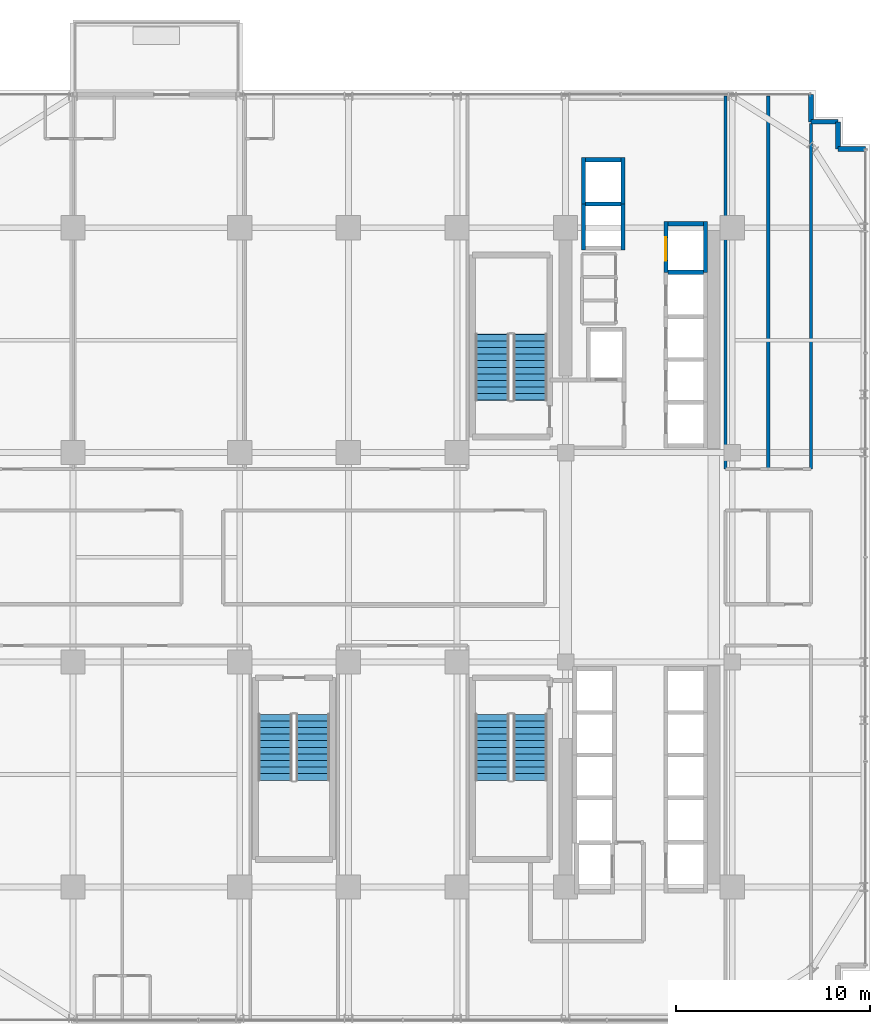
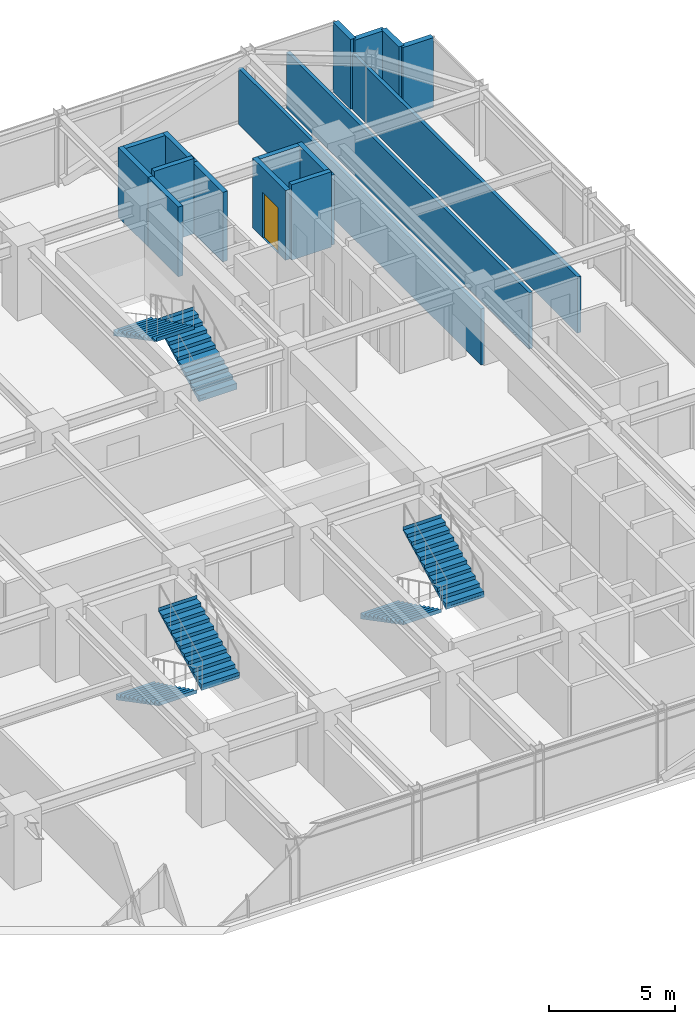
# One storey, part 31 of 35: 17 walls, 6 stair flights, 1 door, 1 opening, 3 elements without a shape of their own.
"""IFC4 building model written with IfcOpenShell, lengths in metres."""

from ifc_helpers import new_model, si_unit, direction, frame, frame_2d, origin, place, context, subcontext, project, spatial, polyline, rectangle, outline, extrude, source, transform, mapped, material, layer, layer_set, type_object, element, fill, aggregate, save


model = new_model("IFC4")

# Units and contexts
model_context = context("Model", 3, precision=1e-05, world=origin(), true_north=direction((0.0, 1.0)))
body_context = subcontext(model_context, "Body", "Model", "MODEL_VIEW")
ifc_project = project(units=[si_unit("LENGTHUNIT", "METRE"), si_unit("AREAUNIT", "SQUARE_METRE"), si_unit("VOLUMEUNIT", "CUBIC_METRE"), si_unit("PLANEANGLEUNIT", "RADIAN"), si_unit("MASSUNIT", "GRAM", prefix="KILO")], contexts=[model_context])

# Site, building, storey
site_placement = place(None, origin())
site = spatial("IfcSite", under=ifc_project, at=site_placement, CompositionType="ELEMENT")
building_placement = place(site_placement, origin())
building = spatial("IfcBuilding", under=site, at=building_placement, Name="Nahalor Promenade Grand Hotel", CompositionType="ELEMENT")
storey_placement = place(building_placement, frame((0.0, 0.0, 121.14990234375)))
storey = spatial("IfcBuildingStorey", under=building, at=storey_placement, Name="L30", CompositionType="ELEMENT", Elevation=121.14990234375)

# Walls
ifc_material_1 = material(Name="Concrete B-50 (C40/50)", Category="concrete")
ifc_layer_1 = layer(ifc_material_1, 0.219970703125)
ifc_layer_set_1 = layer_set([ifc_layer_1], Name="Concrete B-50 (C40/50)")
wall_type_1 = type_object("IfcWallType", Name="Wall-LiftShaft-220", PredefinedType="SHEAR", material=ifc_layer_set_1)
shared_shape_1 = source(origin(), body_context, "Body", "SweptSolid", [
    extrude(rectangle(XDim=1.820068359375, YDim=0.219970703125, at=frame_2d((0.91015625, 0.0))), origin(), (0.0, 0.0, 1.0), 3.650146484375),
])
for number, where, z_axis, x_axis, name in (
    (1, (13.68994140625, 14.699951171875, 0.0), (0.0, 0.0, 1.0), (1.0, 0.0, 0.0), "L30 Lift PL4 Hoistway Wall N"),
    (2, (9.43994140625, 18.22509765625, 0.0), (0.0, 0.0, 1.0), (1.0, 0.0, 0.0), "L30 Lift OB1 Hoistway Wall N"),
):
    element("IfcWall", number, at=place(storey_placement, frame(where, z_axis=z_axis, x_axis=x_axis)), inside=storey, type_object=wall_type_1, Name=name, PredefinedType="SHEAR", context=body_context, shape_type="MappedRepresentation", body=[
        mapped(shared_shape_1, transform((0.0, 0.0, 0.0), scale=1.0)),
    ])
shared_shape_2 = source(origin(), body_context, "Body", "SweptSolid", [
    extrude(rectangle(XDim=1.820068359375, YDim=0.219970703125, at=frame_2d((0.91015625, 0.0))), origin(), (0.0, 0.0, 1.0), 3.380126953125),
])
for number, where, z_axis, x_axis, name in (
    (3, (9.43994140625, 20.5, 0.0), (0.0, 0.0, 1.0), (1.0, 0.0, 0.0), "L30 Lift OB2 Hoistway Wall N"),
    (4, (13.68994140625, 17.199951171875, 0.0), (0.0, 0.0, 1.0), (1.0, 0.0, 0.0), "L30 Lift SV1 Hoistway Wall N"),
):
    element("IfcWall", number, at=place(storey_placement, frame(where, z_axis=z_axis, x_axis=x_axis)), inside=storey, type_object=wall_type_1, Name=name, PredefinedType="SHEAR", context=body_context, shape_type="MappedRepresentation", body=[
        mapped(shared_shape_2, transform((0.0, 0.0, 0.0), scale=1.0)),
    ])
shared_shape_3 = source(origin(), body_context, "Body", "SweptSolid", [
    extrude(rectangle(XDim=2.385009765625, YDim=0.219970703125, at=frame_2d((1.1923828125, 0.0))), origin(), (0.0, 0.0, 1.0), 3.380126953125),
])
for number, where, z_axis, x_axis, name in (
    (5, (9.330078125, 15.840087890625, 0.0), (0.0, 0.0, 1.0), (0.0, 1.0, 0.0), "L30 Lift OB1 Hoistway Wall W"),
    (6, (11.3701171875, 15.840087890625, 0.0), (0.0, 0.0, 1.0), (0.0, 1.0, 0.0), "L30 Lift OB1 Hoistway Wall E"),
    (7, (9.330078125, 18.22509765625, 0.0), (0.0, 0.0, 1.0), (0.0, 1.0, 0.0), "L30 Lift OB2 Hoistway Wall W"),
    (8, (11.3701171875, 18.22509765625, 0.0), (0.0, 0.0, 1.0), (0.0, 1.0, 0.0), "L30 Lift OB2 Hoistway Wall E"),
):
    element("IfcWall", number, at=place(storey_placement, frame(where, z_axis=z_axis, x_axis=x_axis)), inside=storey, type_object=wall_type_1, Name=name, PredefinedType="SHEAR", context=body_context, shape_type="MappedRepresentation", body=[
        mapped(shared_shape_3, transform((0.0, 0.0, 0.0), scale=1.0)),
    ])

# Wall, opening, door
shared_shape_4 = source(origin(), body_context, "Body", "SweptSolid", [
    extrude(rectangle(XDim=2.610107421875, YDim=0.219970703125, at=frame_2d((1.30517578125, 0.0))), origin(), (0.0, 0.0, 1.0), 3.380126953125),
])
wall_1_placement = place(storey_placement, frame((13.580078125, 14.699951171875, 0.0), z_axis=(0.0, 0.0, 1.0), x_axis=(0.0, 1.0, 0.0)))
wall_1 = element("IfcWall", 9, at=wall_1_placement, inside=storey, type_object=wall_type_1, Name="L30 Lift SV1 Hoistway Wall W", PredefinedType="SHEAR", context=body_context, shape_type="MappedRepresentation", body=[
    mapped(shared_shape_4, transform((0.0, 0.0, 0.0), scale=1.0)),
])
opening_placement = place(wall_1_placement, frame((0.60009765625, 0.0, 0.0)))
opening = element("IfcOpeningElement", 10, at=opening_placement, cuts=wall_1, Name="Opening LD-03", PredefinedType="OPENING", context=body_context, shape_type="SweptSolid", body=[
    extrude(rectangle(XDim=1.199951171875, YDim=2.199951171875, at=frame_2d((0.60009765625, 1.10009765625))), frame((0.0, 0.119873046875, 0.0), z_axis=(0.0, -1.0, 0.0), x_axis=(1.0, 0.0, 0.0)), (0.0, 0.0, 1.0), 0.239990234375),
])
ifc_material_2 = material(Name="Steel S355JR", Category="steel")
door_type = type_object("IfcDoorType", Name="Door-LiftService-1200", OperationType="DOUBLE_DOOR_SLIDING", PredefinedType="DOOR", material=ifc_material_2)
shared_shape_5 = source(origin(), body_context, "Body", "SweptSolid", [
    extrude(rectangle(XDim=1.199951171875, YDim=2.199951171875, at=frame_2d((0.60009765625, 1.10009765625))), frame((0.0, 0.02490234375, 0.0), z_axis=(0.0, -1.0, 0.0), x_axis=(1.0, 0.0, 0.0)), (0.0, 0.0, 1.0), 0.050048828125),
])
door_placement = place(opening_placement, origin())
door = element("IfcDoor", 11, at=door_placement, inside=storey, type_object=door_type, Name="DR-LIFT-SV1-L30", OperationType="DOUBLE_DOOR_SLIDING", OverallHeight=2.199951171875, OverallWidth=1.199951171875, PredefinedType="DOOR", context=body_context, shape_type="MappedRepresentation", body=[
    mapped(shared_shape_5, transform((0.0, 0.0, 0.0), scale=1.0)),
])
fill(opening, door)

# Walls
wall_2_placement = place(storey_placement, frame((15.6201171875, 14.699951171875, 0.0), z_axis=(0.0, 0.0, 1.0), x_axis=(0.0, 1.0, 0.0)))
element("IfcWall", 12, at=wall_2_placement, inside=storey, type_object=wall_type_1, Name="L30 Lift SV1 Hoistway Wall E", PredefinedType="SHEAR", context=body_context, shape_type="MappedRepresentation", body=[
    mapped(shared_shape_4, transform((0.0, 0.0, 0.0), scale=1.0)),
])
ifc_material_3 = material(Name="Concrete B-40 (C32/40)", Category="concrete")
ifc_layer_2 = layer(ifc_material_3, 0.25)
ifc_layer_set_2 = layer_set([ifc_layer_2], Name="Concrete B-40 (C32/40)")
wall_type_2 = type_object("IfcWallType", Name="Wall-BronzePier-250", PredefinedType="STANDARD", material=ifc_layer_set_2)
shared_shape_6 = source(origin(), body_context, "Body", "SweptSolid", [
    extrude(rectangle(XDim=1.400146484375, YDim=0.25, at=frame_2d((0.7001953125, 0.0))), origin(), (0.0, 0.0, 1.0), 3.380126953125),
])
for number, where, z_axis, x_axis, name in (
    (13, (22.4599609375, 21.06005859375, 0.0), (0.0, 0.0, 1.0), (1.0, 0.0, 0.0), "W-L30-SR-05"),
    (14, (21.06005859375, 22.4599609375, 0.0), (0.0, 0.0, 1.0), (0.0, 1.0, 0.0), "W-L30-SR-08"),
):
    element("IfcWall", number, at=place(storey_placement, frame(where, z_axis=z_axis, x_axis=x_axis)), inside=storey, type_object=wall_type_2, Name=name, PredefinedType="STANDARD", context=body_context, shape_type="MappedRepresentation", body=[
        mapped(shared_shape_6, transform((0.0, 0.0, 0.0), scale=1.0)),
    ])
shared_shape_7 = source(origin(), body_context, "Body", "SweptSolid", [
    extrude(rectangle(XDim=1.39990234375, YDim=0.25, at=frame_2d((0.699951171875, 0.0))), origin(), (0.0, 0.0, 1.0), 3.380126953125),
])
for number, where, z_axis, x_axis, name in (
    (15, (22.4599609375, 21.06005859375, 0.0), (0.0, 0.0, 1.0), (0.0, 1.0, 0.0), "W-L30-SR-06"),
    (16, (21.06005859375, 22.4599609375, 0.0), (0.0, 0.0, 1.0), (1.0, 0.0, 0.0), "W-L30-SR-07"),
):
    element("IfcWall", number, at=place(storey_placement, frame(where, z_axis=z_axis, x_axis=x_axis)), inside=storey, type_object=wall_type_2, Name=name, PredefinedType="STANDARD", context=body_context, shape_type="MappedRepresentation", body=[
        mapped(shared_shape_7, transform((0.0, 0.0, 0.0), scale=1.0)),
    ])
ifc_material_4 = material(Name="Acoustic Mineral Gypsum", Category="gypsum")
ifc_layer_3 = layer(ifc_material_4, 0.159912109375)
ifc_layer_set_3 = layer_set([ifc_layer_3], Name="Acoustic Mineral Gypsum")
wall_type_3 = type_object("IfcWallType", Name="Wall-PartCorridor-160", PredefinedType="PARTITIONING", material=ifc_layer_set_3)
shared_shape_8 = source(origin(), body_context, "Body", "SweptSolid", [
    extrude(rectangle(XDim=19.25, YDim=0.159912109375, at=frame_2d((9.625, 0.0))), origin(), (0.0, 0.0, 1.0), 2.72021484375),
])
for number, where, z_axis, x_axis, name in (
    (17, (16.64990234375, 4.550048828125, 0.0), (0.0, 0.0, 1.0), (0.0, 1.0, 0.0), "W-L30-ENE1-W"),
    (18, (18.85498046875, 4.550048828125, 0.0), (0.0, 0.0, 1.0), (0.0, 1.0, 0.0), "W-L30-ENE1-E"),
):
    element("IfcWall", number, at=place(storey_placement, frame(where, z_axis=z_axis, x_axis=x_axis)), inside=storey, type_object=wall_type_3, Name=name, PredefinedType="PARTITIONING", context=body_context, shape_type="MappedRepresentation", body=[
        mapped(shared_shape_8, transform((0.0, 0.0, 0.0), scale=1.0)),
    ])
shared_shape_9 = source(origin(), body_context, "Body", "SweptSolid", [
    extrude(rectangle(XDim=17.829833984375, YDim=0.159912109375, at=frame_2d((8.9150390625, 0.0))), origin(), (0.0, 0.0, 1.0), 2.72021484375),
])
wall_3_placement = place(storey_placement, frame((21.06005859375, 4.550048828125, 0.0), z_axis=(0.0, 0.0, 1.0), x_axis=(0.0, 1.0, 0.0)))
element("IfcWall", 19, at=wall_3_placement, inside=storey, type_object=wall_type_3, Name="W-L30-ENE2-E", PredefinedType="PARTITIONING", context=body_context, shape_type="MappedRepresentation", body=[
    mapped(shared_shape_9, transform((0.0, 0.0, 0.0), scale=1.0)),
])

# Stair, stair flights
stair_type_1 = type_object("IfcStairType", Name="Stair-ST1", PredefinedType="HALF_TURN_STAIR", material=ifc_material_1)
stair_1_placement = place(storey_placement, origin())
stair_1 = element("IfcStair", 20, at=stair_1_placement, inside=storey, type_object=stair_type_1, Name="L30 ST1", PredefinedType="HALF_TURN_STAIR")
ifc_layer_4 = layer(ifc_material_1, 0.179931640625)
ifc_layer_set_4 = layer_set([ifc_layer_4], Name="Concrete B-50 (C40/50)")
stair_flight_type_1 = type_object("IfcStairFlightType", Name="Flight-ST1", PredefinedType="STRAIGHT", material=ifc_layer_set_4)
shared_shape_10 = source(origin(), body_context, "Body", "SweptSolid", [
    extrude(outline(polyline([(-0.00390625, -0.1201171875), (-0.00390625, 0.0), (0.0, 0.0), (0.0, 0.166015625), (0.340087890625, 0.166015625), (0.340087890625, 0.331787109375), (0.679931640625, 0.331787109375), (0.679931640625, 0.497802734375), (1.02001953125, 0.497802734375), (1.02001953125, 0.66357421875), (1.360107421875, 0.66357421875), (1.360107421875, 0.82958984375), (1.699951171875, 0.82958984375), (1.699951171875, 0.995361328125), (2.0400390625, 0.995361328125), (2.0400390625, 1.161376953125), (2.3798828125, 1.161376953125), (2.3798828125, 1.327392578125), (2.719970703125, 1.327392578125), (2.719970703125, 1.4931640625), (3.06005859375, 1.4931640625), (3.06005859375, 1.6591796875), (3.39990234375, 1.6591796875), (3.39990234375, 1.824951171875), (3.404052734375, 1.824951171875), (3.404052734375, 1.64501953125), (0.02001953125, -0.1201171875), (-0.00390625, -0.1201171875)])), frame((0.0, 0.875, 0.0), z_axis=(0.0, -1.0, 0.0), x_axis=(1.0, 0.0, 0.0)), (0.0, 0.0, 1.0), 1.75),
])
stair_flight_1_placement = place(storey_placement, frame((6.574951171875, 8.10009765625, 0.0), z_axis=(0.0, 0.0, 1.0), x_axis=(0.0, 1.0, 0.0)))
stair_flight_1 = element("IfcStairFlight", 21, at=stair_flight_1_placement, type_object=stair_flight_type_1, Name="ST1 flight 1", NumberOfRisers=11, NumberOfTreads=10, PredefinedType="STRAIGHT", RiserHeight=0.165909091, TreadLength=0.34, context=body_context, shape_type="MappedRepresentation", body=[
    mapped(shared_shape_10, transform((0.0, 0.0, 0.0), scale=1.0)),
])
stair_flight_2_placement = place(storey_placement, frame((4.625, 11.5, 1.8251953125), z_axis=(0.0, 0.0, 1.0), x_axis=(0.0, -1.0, 0.0)))
stair_flight_2 = element("IfcStairFlight", 22, at=stair_flight_2_placement, type_object=stair_flight_type_1, Name="ST1 flight 2", NumberOfRisers=11, NumberOfTreads=10, PredefinedType="STRAIGHT", RiserHeight=0.165909091, TreadLength=0.34, context=body_context, shape_type="MappedRepresentation", body=[
    mapped(shared_shape_10, transform((0.0, 0.0, 0.0), scale=1.0)),
])
aggregate(stair_1, [stair_flight_1, stair_flight_2])

stair_type_2 = type_object("IfcStairType", Name="Stair-ST2", PredefinedType="HALF_TURN_STAIR", material=ifc_material_1)
stair_2_placement = place(storey_placement, origin())
stair_2 = element("IfcStair", 23, at=stair_2_placement, inside=storey, type_object=stair_type_2, Name="L30 ST2", PredefinedType="HALF_TURN_STAIR")
ifc_layer_5 = layer(ifc_material_1, 0.18994140625)
ifc_layer_set_5 = layer_set([ifc_layer_5], Name="Concrete B-50 (C40/50)")
stair_flight_type_2 = type_object("IfcStairFlightType", Name="Flight-ST2", PredefinedType="STRAIGHT", material=ifc_layer_set_5)
shared_shape_11 = source(origin(), body_context, "Body", "SweptSolid", [
    extrude(outline(polyline([(-0.00390625, -0.1201171875), (-0.00390625, 0.0), (0.0, 0.0), (0.0, 0.166015625), (0.340087890625, 0.166015625), (0.340087890625, 0.331787109375), (0.679931640625, 0.331787109375), (0.679931640625, 0.497802734375), (1.02001953125, 0.497802734375), (1.02001953125, 0.66357421875), (1.360107421875, 0.66357421875), (1.360107421875, 0.82958984375), (1.699951171875, 0.82958984375), (1.699951171875, 0.995361328125), (2.0400390625, 0.995361328125), (2.0400390625, 1.161376953125), (2.3798828125, 1.161376953125), (2.3798828125, 1.327392578125), (2.719970703125, 1.327392578125), (2.719970703125, 1.4931640625), (3.06005859375, 1.4931640625), (3.06005859375, 1.6591796875), (3.39990234375, 1.6591796875), (3.39990234375, 1.824951171875), (3.404052734375, 1.824951171875), (3.404052734375, 1.64501953125), (0.02001953125, -0.1201171875), (-0.00390625, -0.1201171875)])), frame((0.0, 0.875, 0.0), z_axis=(0.0, -1.0, 0.0), x_axis=(1.0, 0.0, 0.0)), (0.0, 0.0, 1.0), 1.75),
])
stair_flight_3_placement = place(storey_placement, frame((4.625, -8.10009765625, 0.0), z_axis=(0.0, 0.0, 1.0), x_axis=(0.0, -1.0, 0.0)))
stair_flight_3 = element("IfcStairFlight", 24, at=stair_flight_3_placement, type_object=stair_flight_type_2, Name="ST2 flight 1", NumberOfRisers=11, NumberOfTreads=10, PredefinedType="STRAIGHT", RiserHeight=0.165909091, TreadLength=0.34, context=body_context, shape_type="MappedRepresentation", body=[
    mapped(shared_shape_11, transform((0.0, 0.0, 0.0), scale=1.0)),
])
stair_flight_4_placement = place(storey_placement, frame((6.574951171875, -11.5, 1.8251953125), z_axis=(0.0, 0.0, 1.0), x_axis=(0.0, 1.0, 0.0)))
stair_flight_4 = element("IfcStairFlight", 25, at=stair_flight_4_placement, type_object=stair_flight_type_2, Name="ST2 flight 2", NumberOfRisers=11, NumberOfTreads=10, PredefinedType="STRAIGHT", RiserHeight=0.165909091, TreadLength=0.34, context=body_context, shape_type="MappedRepresentation", body=[
    mapped(shared_shape_11, transform((0.0, 0.0, 0.0), scale=1.0)),
])
aggregate(stair_2, [stair_flight_3, stair_flight_4])

stair_type_3 = type_object("IfcStairType", Name="Stair-ST3", PredefinedType="HALF_TURN_STAIR", material=ifc_material_1)
stair_3_placement = place(storey_placement, origin())
stair_3 = element("IfcStair", 26, at=stair_3_placement, inside=storey, type_object=stair_type_3, Name="L30 ST3", PredefinedType="HALF_TURN_STAIR")
ifc_layer_6 = layer(ifc_material_1, 0.199951171875)
ifc_layer_set_6 = layer_set([ifc_layer_6], Name="Concrete B-50 (C40/50)")
stair_flight_type_3 = type_object("IfcStairFlightType", Name="Flight-ST3", PredefinedType="STRAIGHT", material=ifc_layer_set_6)
shared_shape_12 = source(origin(), body_context, "Body", "SweptSolid", [
    extrude(outline(polyline([(-0.00390625, -0.1201171875), (-0.00390625, 0.0), (0.0, 0.0), (0.0, 0.166015625), (0.340087890625, 0.166015625), (0.340087890625, 0.331787109375), (0.679931640625, 0.331787109375), (0.679931640625, 0.497802734375), (1.02001953125, 0.497802734375), (1.02001953125, 0.66357421875), (1.360107421875, 0.66357421875), (1.360107421875, 0.82958984375), (1.699951171875, 0.82958984375), (1.699951171875, 0.995361328125), (2.0400390625, 0.995361328125), (2.0400390625, 1.161376953125), (2.3798828125, 1.161376953125), (2.3798828125, 1.327392578125), (2.719970703125, 1.327392578125), (2.719970703125, 1.4931640625), (3.06005859375, 1.4931640625), (3.06005859375, 1.6591796875), (3.39990234375, 1.6591796875), (3.39990234375, 1.824951171875), (3.404052734375, 1.824951171875), (3.404052734375, 1.64501953125), (0.02001953125, -0.1201171875), (-0.00390625, -0.1201171875)])), frame((0.0, 0.875, 0.0), z_axis=(0.0, -1.0, 0.0), x_axis=(1.0, 0.0, 0.0)), (0.0, 0.0, 1.0), 1.75),
])
stair_flight_5_placement = place(storey_placement, frame((-6.574951171875, -8.10009765625, 0.0), z_axis=(0.0, 0.0, 1.0), x_axis=(0.0, -1.0, 0.0)))
stair_flight_5 = element("IfcStairFlight", 27, at=stair_flight_5_placement, type_object=stair_flight_type_3, Name="ST3 flight 1", NumberOfRisers=11, NumberOfTreads=10, PredefinedType="STRAIGHT", RiserHeight=0.165909091, TreadLength=0.34, context=body_context, shape_type="MappedRepresentation", body=[
    mapped(shared_shape_12, transform((0.0, 0.0, 0.0), scale=1.0)),
])
stair_flight_6_placement = place(storey_placement, frame((-4.625, -11.5, 1.8251953125), z_axis=(0.0, 0.0, 1.0), x_axis=(0.0, 1.0, 0.0)))
stair_flight_6 = element("IfcStairFlight", 28, at=stair_flight_6_placement, type_object=stair_flight_type_3, Name="ST3 flight 2", NumberOfRisers=11, NumberOfTreads=10, PredefinedType="STRAIGHT", RiserHeight=0.165909091, TreadLength=0.34, context=body_context, shape_type="MappedRepresentation", body=[
    mapped(shared_shape_12, transform((0.0, 0.0, 0.0), scale=1.0)),
])
aggregate(stair_3, [stair_flight_5, stair_flight_6])

save(model, "model.ifc")
